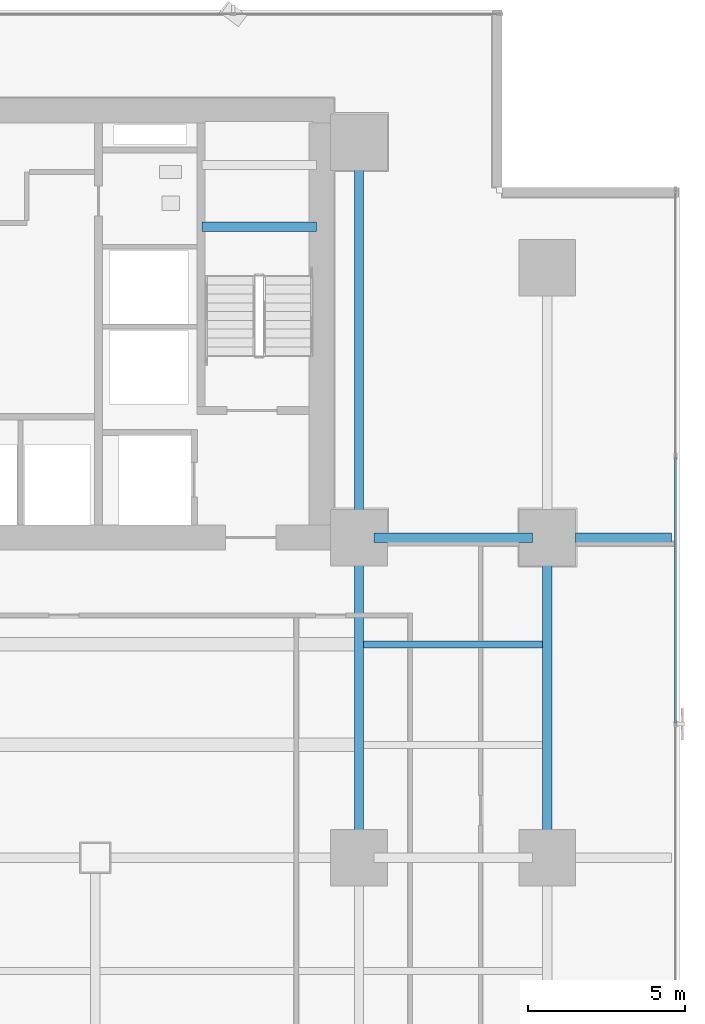
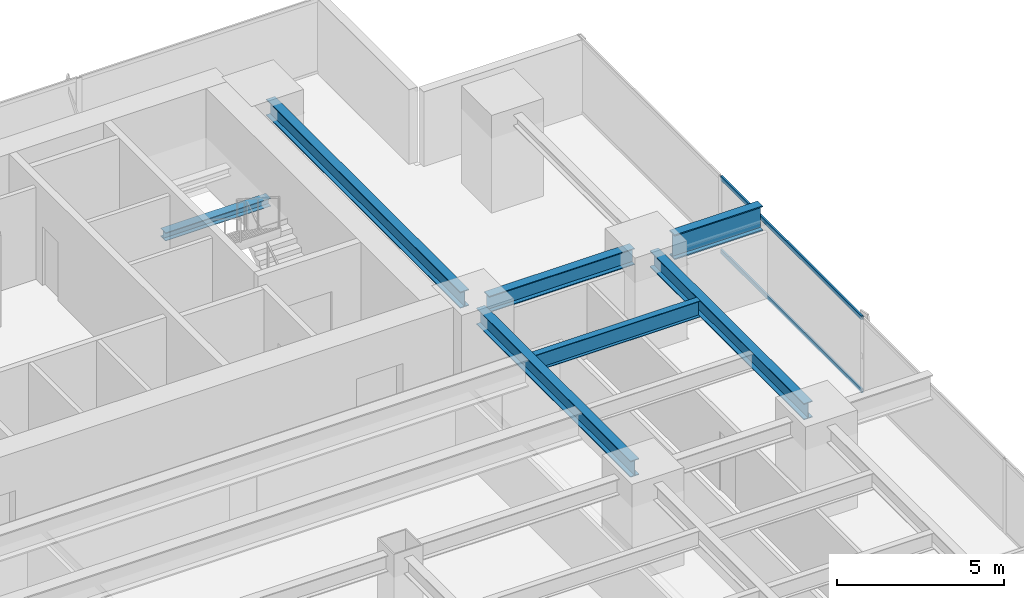
# One storey, part 20 of 33: 7 beams, 2 members, 1 element without a shape of its own.
"""IFC4 building model written with IfcOpenShell, lengths in metres."""

from ifc_helpers import new_model, si_unit, direction, frame, origin, origin_2d, place, context, subcontext, project, spatial, hollow_rectangle, i_section, extrude, source, transform, mapped, material, layer, layer_set, material_profile, profile_set, type_object, element, aggregate, save


model = new_model("IFC4")

# Units and contexts
model_context = context("Model", 3, precision=1e-05, world=origin(), true_north=direction((0.0, 1.0)))
body_context = subcontext(model_context, "Body", "Model", "MODEL_VIEW")
ifc_project = project(units=[si_unit("LENGTHUNIT", "METRE"), si_unit("AREAUNIT", "SQUARE_METRE"), si_unit("VOLUMEUNIT", "CUBIC_METRE"), si_unit("PLANEANGLEUNIT", "RADIAN"), si_unit("MASSUNIT", "GRAM", prefix="KILO")], contexts=[model_context])

# Site, building, storey
site_placement = place(None, origin())
site = spatial("IfcSite", under=ifc_project, at=site_placement, CompositionType="ELEMENT")
building_placement = place(site_placement, origin())
building = spatial("IfcBuilding", under=site, at=building_placement, Name="Sumidabori Civic Tower", CompositionType="ELEMENT")
storey_placement = place(building_placement, frame((0.0, 0.0, 38.0)))
storey = spatial("IfcBuildingStorey", under=building, at=storey_placement, Name="L09", CompositionType="ELEMENT", Elevation=38.0)

# Beams
ifc_material_1 = material(Name="Steel SN490", Category="steel")
ifc_material_profile_1 = material_profile(ifc_material_1, i_section(OverallWidth=0.300048828125, OverallDepth=0.300048828125, WebThickness=0.010986328125, FlangeThickness=0.01904296875, at=origin_2d()), Name="HE 300 B")
ifc_profile_set_1 = profile_set([ifc_material_profile_1], Name="Steel SN490")
beam_type_1 = type_object("IfcBeamType", Name="BM-LDG-300", PredefinedType="BEAM", material=ifc_profile_set_1)
shared_shape_1 = source(origin(), body_context, "Body", "SweptSolid", [
    extrude(i_section(OverallWidth=0.300048828125, OverallDepth=0.300048828125, WebThickness=0.010986328125, FlangeThickness=0.01904296875, at=origin_2d()), origin(), (0.0, 0.0, 1.0), 3.64990234375),
])
beam_1_placement = place(storey_placement, frame((11.800048828125, 20.09765625, 1.449951171875), z_axis=(1.0, 0.0, 0.0), x_axis=(0.0, 1.0, 0.0)))
element("IfcBeam", 1, at=beam_1_placement, inside=storey, type_object=beam_type_1, Name="Stair ST-2 Landing Support Beam L09-1A", PredefinedType="BEAM", context=body_context, shape_type="MappedRepresentation", body=[
    mapped(shared_shape_1, transform((0.0, 0.0, 0.0), x_axis=(1.0, 0.0, 0.0), y_axis=(0.0, 1.0, 0.0), z_axis=(0.0, 0.0, 1.0), scale=1.0)),
])
ifc_material_profile_2 = material_profile(ifc_material_1, i_section(OverallWidth=0.300048828125, OverallDepth=0.60009765625, WebThickness=0.015380859375, FlangeThickness=0.030029296875, at=origin_2d()), Name="HE 600 B")
ifc_profile_set_2 = profile_set([ifc_material_profile_2], Name="Steel SN490")
beam_type_2 = type_object("IfcBeamType", Name="BM-GIRD-600", PredefinedType="BEAM", material=ifc_profile_set_2)
shared_shape_2 = source(origin(), body_context, "Body", "SweptSolid", [
    extrude(i_section(OverallWidth=0.300048828125, OverallDepth=0.60009765625, WebThickness=0.015380859375, FlangeThickness=0.030029296875, at=origin_2d()), origin(), (0.0, 0.0, 1.0), 5.0400390625),
])
beam_2_placement = place(storey_placement, frame((17.280029296875, 10.199951171875, 3.06005859375), z_axis=(1.0, 0.0, 0.0), x_axis=(0.0, 1.0, 0.0)))
element("IfcBeam", 2, at=beam_2_placement, inside=storey, type_object=beam_type_2, Name="Primary Girder L09 GX-20", PredefinedType="BEAM", context=body_context, shape_type="MappedRepresentation", body=[
    mapped(shared_shape_2, transform((0.0, 0.0, 0.0), x_axis=(1.0, 0.0, 0.0), y_axis=(0.0, 1.0, 0.0), z_axis=(0.0, 0.0, 1.0), scale=1.0)),
])
shared_shape_3 = source(origin(), body_context, "Body", "SweptSolid", [
    extrude(i_section(OverallWidth=0.300048828125, OverallDepth=0.60009765625, WebThickness=0.015380859375, FlangeThickness=0.030029296875, at=origin_2d()), origin(), (0.0, 0.0, 1.0), 9.239990234375),
])
for number, where, z_axis, x_axis, name in (
    (3, (16.800048828125, 0.47998046875, 3.06005859375), (0.0, 1.0, 0.0), (-1.0, 0.0, 0.0), "Primary Girder L09 GY-37"),
    (4, (22.800048828125, 0.47998046875, 3.06005859375), (0.0, 1.0, 0.0), (-1.0, 0.0, 0.0), "Primary Girder L09 GY-41"),
):
    element("IfcBeam", number, at=place(storey_placement, frame(where, z_axis=z_axis, x_axis=x_axis)), inside=storey, type_object=beam_type_2, Name=name, PredefinedType="BEAM", context=body_context, shape_type="MappedRepresentation", body=[
        mapped(shared_shape_3, transform((0.0, 0.0, 0.0), x_axis=(1.0, 0.0, 0.0), y_axis=(0.0, 1.0, 0.0), z_axis=(0.0, 0.0, 1.0), scale=1.0)),
    ])
shared_shape_4 = source(origin(), body_context, "Body", "SweptSolid", [
    extrude(i_section(OverallWidth=0.300048828125, OverallDepth=0.60009765625, WebThickness=0.015380859375, FlangeThickness=0.030029296875, at=origin_2d()), origin(), (0.0, 0.0, 1.0), 11.64013671875),
])
beam_3_placement = place(storey_placement, frame((16.800048828125, 10.679931640625, 3.06005859375), z_axis=(0.0, 1.0, 0.0), x_axis=(-1.0, 0.0, 0.0)))
element("IfcBeam", 5, at=beam_3_placement, inside=storey, type_object=beam_type_2, Name="Primary Girder L09 GY-38", PredefinedType="BEAM", context=body_context, shape_type="MappedRepresentation", body=[
    mapped(shared_shape_4, transform((0.0, 0.0, 0.0), x_axis=(1.0, 0.0, 0.0), y_axis=(0.0, 1.0, 0.0), z_axis=(0.0, 0.0, 1.0), scale=1.0)),
])
ifc_material_profile_3 = material_profile(ifc_material_1, i_section(OverallWidth=0.302001953125, OverallDepth=0.909912109375, WebThickness=0.02099609375, FlangeThickness=0.0400390625, at=origin_2d()), Name="HE 900 M")
ifc_profile_set_3 = profile_set([ifc_material_profile_3], Name="Steel SN490")
beam_type_3 = type_object("IfcBeamType", Name="BM-Z1-EDGE", PredefinedType="SPANDREL", material=ifc_profile_set_3)
shared_shape_5 = source(origin(), body_context, "Body", "SweptSolid", [
    extrude(i_section(OverallWidth=0.302001953125, OverallDepth=0.909912109375, WebThickness=0.02099609375, FlangeThickness=0.0400390625, at=origin_2d()), origin(), (0.0, 0.0, 1.0), 3.050048828125),
])
beam_4_placement = place(storey_placement, frame((23.699951171875, 10.199951171875, 2.905029296875), z_axis=(1.0, 0.0, 0.0), x_axis=(0.0, 1.0, 0.0)))
element("IfcBeam", 6, at=beam_4_placement, inside=storey, type_object=beam_type_3, Name="Perimeter Overhang Beam L09 E-47", PredefinedType="SPANDREL", context=body_context, shape_type="MappedRepresentation", body=[
    mapped(shared_shape_5, transform((0.0, 0.0, 0.0), x_axis=(1.0, 0.0, 0.0), y_axis=(0.0, 1.0, 0.0), z_axis=(0.0, 0.0, 1.0), scale=1.0)),
])
ifc_material_profile_4 = material_profile(ifc_material_1, i_section(OverallWidth=0.219970703125, OverallDepth=0.60009765625, WebThickness=0.011962890625, FlangeThickness=0.01904296875, at=origin_2d()), Name="IPE 600")
ifc_profile_set_4 = profile_set([ifc_material_profile_4], Name="Steel SN490")
beam_type_4 = type_object("IfcBeamType", Name="BM-JST-600", PredefinedType="JOIST", material=ifc_profile_set_4)
shared_shape_6 = source(origin(), body_context, "Body", "SweptSolid", [
    extrude(i_section(OverallWidth=0.219970703125, OverallDepth=0.60009765625, WebThickness=0.011962890625, FlangeThickness=0.01904296875, at=origin_2d()), origin(), (0.0, 0.0, 1.0), 5.699951171875),
])
beam_5_placement = place(storey_placement, frame((16.949951171875, 6.800048828125, 3.06005859375), z_axis=(1.0, 0.0, 0.0), x_axis=(0.0, 1.0, 0.0)))
element("IfcBeam", 7, at=beam_5_placement, inside=storey, type_object=beam_type_4, Name="Outer Bay Floor Joist L09 JSTO-56", PredefinedType="JOIST", context=body_context, shape_type="MappedRepresentation", body=[
    mapped(shared_shape_6, transform((0.0, 0.0, 0.0), x_axis=(1.0, 0.0, 0.0), y_axis=(0.0, 1.0, 0.0), z_axis=(0.0, 0.0, 1.0), scale=1.0)),
])

# Curtain wall, members
ifc_material_2 = material(Name="Anodised Bronze Aluminium AW-6063-T6", Category="aluminium")
ifc_layer = layer(ifc_material_2, 0.179931640625, Name="Anodised Bronze Aluminium AW-6063-T6")
ifc_layer_set = layer_set([ifc_layer], Name="Anodised Bronze Aluminium AW-6063-T6")
curtain_wall_type = type_object("IfcCurtainWallType", Name="CW-SYS-2", PredefinedType="NOTDEFINED", material=ifc_layer_set)
curtain_wall_placement = place(storey_placement, origin())
curtain_wall = element("IfcCurtainWall", 8, at=curtain_wall_placement, inside=storey, type_object=curtain_wall_type, Name="Curtain Wall CW:L09:R04", PredefinedType="NOTDEFINED")
ifc_material_profile_5 = material_profile(ifc_material_2, hollow_rectangle(XDim=0.06494140625, YDim=0.14990234375, WallThickness=0.0048828125, at=origin_2d()), Name="ALU TRANSOM 150x65")
ifc_profile_set_5 = profile_set([ifc_material_profile_5], Name="Anodised Bronze Aluminium AW-6063-T6")
member_type = type_object("IfcMemberType", Name="CW-TRN-150", PredefinedType="USERDEFINED", material=ifc_profile_set_5)
shared_shape_7 = source(origin(), body_context, "Body", "SweptSolid", [
    extrude(hollow_rectangle(XDim=0.06494140625, YDim=0.14990234375, WallThickness=0.0048828125, at=origin_2d()), origin(), (0.0, 0.0, 1.0), 8.4580078125),
])
member_1_placement = place(storey_placement, frame((26.8798828125, 4.299072265625, 0.032470703125), z_axis=(0.0, 1.0, 0.0), x_axis=(-1.0, 0.0, 0.0)))
member_1 = element("IfcMember", 9, at=member_1_placement, type_object=member_type, Name="CW-2 transom 4.1", ObjectType="TRANSOM", PredefinedType="USERDEFINED", context=body_context, shape_type="MappedRepresentation", body=[
    mapped(shared_shape_7, transform((0.0, 0.0, 0.0), x_axis=(1.0, 0.0, 0.0), y_axis=(0.0, 1.0, 0.0), z_axis=(0.0, 0.0, 1.0), scale=1.0)),
])
member_2_placement = place(storey_placement, frame((26.8798828125, 4.299072265625, 2.70751953125), z_axis=(0.0, 1.0, 0.0), x_axis=(-1.0, 0.0, 0.0)))
member_2 = element("IfcMember", 10, at=member_2_placement, type_object=member_type, Name="CW-2 transom 4.2", ObjectType="TRANSOM", PredefinedType="USERDEFINED", context=body_context, shape_type="MappedRepresentation", body=[
    mapped(shared_shape_7, transform((0.0, 0.0, 0.0), x_axis=(1.0, 0.0, 0.0), y_axis=(0.0, 1.0, 0.0), z_axis=(0.0, 0.0, 1.0), scale=1.0)),
])
aggregate(curtain_wall, [member_1, member_2])

save(model, "model.ifc")
